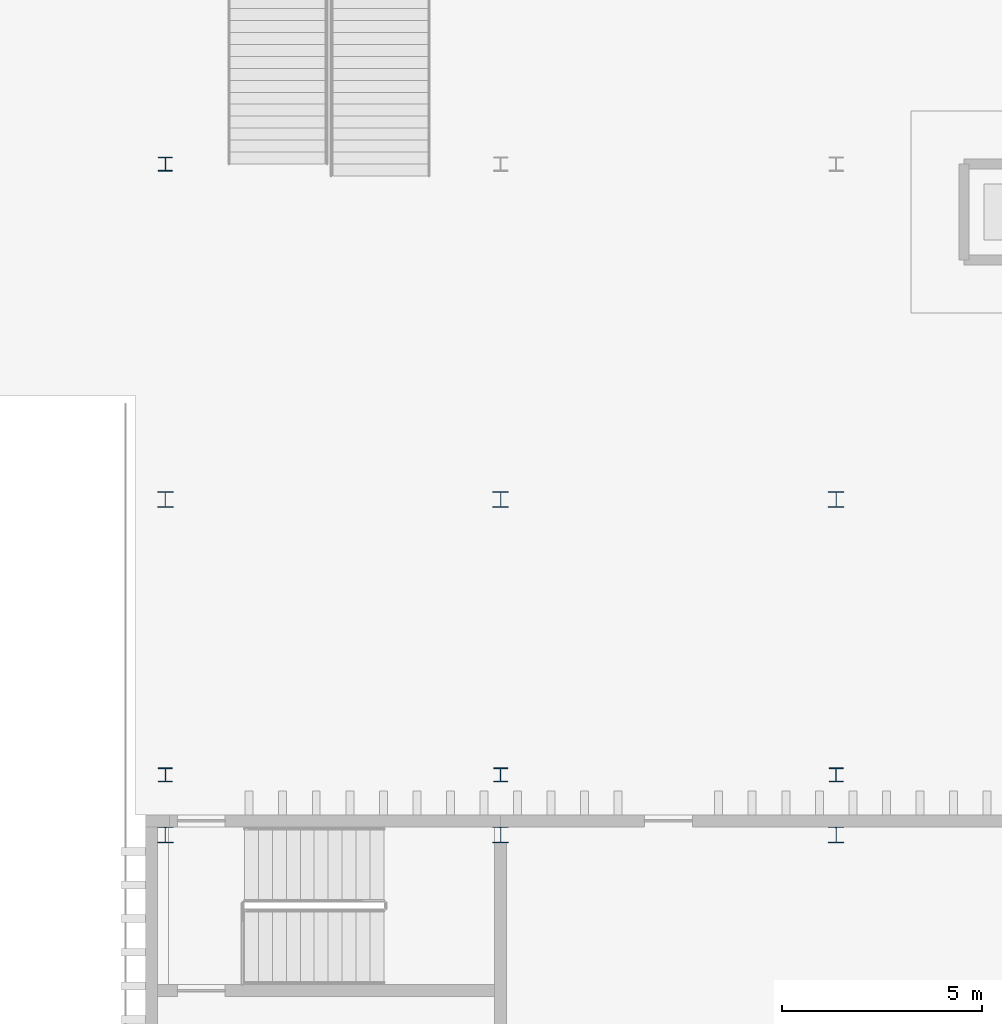
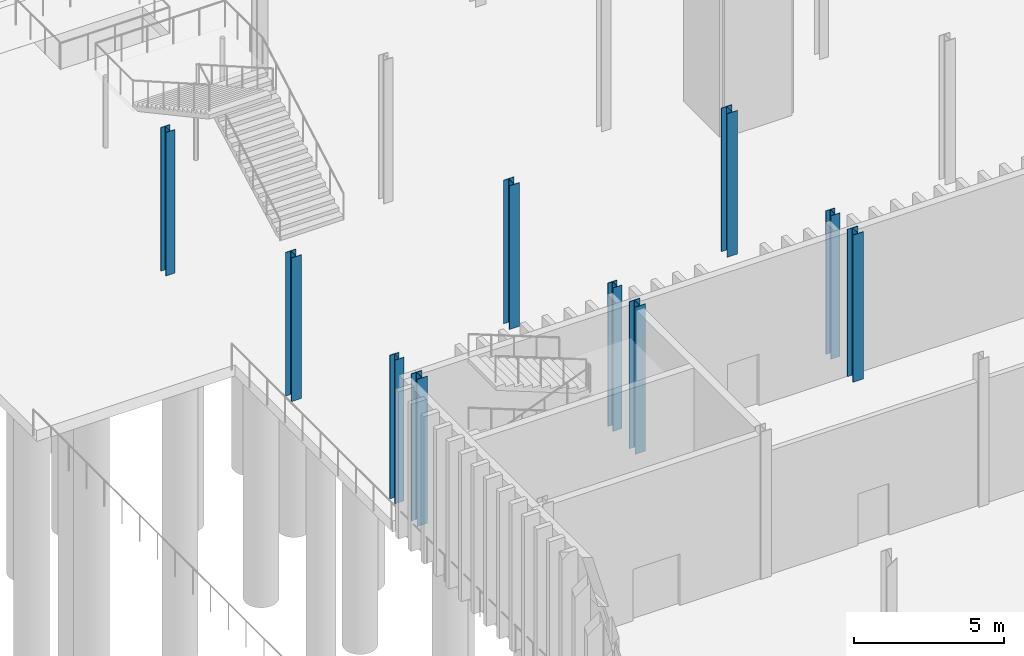
# One storey, part 12 of 108: 10 columns.
"""IFC4 building model written with IfcOpenShell, lengths in metres."""

from ifc_helpers import new_model, si_unit, direction, frame, origin, origin_2d, place, context, subcontext, project, spatial, i_section, extrude, material, material_profile, profile_set, type_object, element, save


model = new_model("IFC4")

# Units and contexts
model_context = context("Model", 3, precision=1e-05, world=origin(), true_north=direction((0.0, 1.0)))
body_context = subcontext(model_context, "Body", "Model", "MODEL_VIEW")
ifc_project = project(units=[si_unit("LENGTHUNIT", "METRE"), si_unit("AREAUNIT", "SQUARE_METRE"), si_unit("VOLUMEUNIT", "CUBIC_METRE"), si_unit("PLANEANGLEUNIT", "RADIAN"), si_unit("MASSUNIT", "GRAM", prefix="KILO")], contexts=[model_context])

# Site, building, storey
site_placement = place(None, origin())
site = spatial("IfcSite", under=ifc_project, at=site_placement, CompositionType="ELEMENT")
building_placement = place(site_placement, origin())
building = spatial("IfcBuilding", under=site, at=building_placement, Name="Cresset Court Congress Hotel", CompositionType="ELEMENT")
storey_placement = place(building_placement, origin())
storey = spatial("IfcBuildingStorey", under=building, at=storey_placement, Name="L00", CompositionType="ELEMENT", Elevation=0.0)

# Columns
ifc_material_1 = material(Name="Structural steel Q355B", Category="steel")
ifc_material_profile_1 = material_profile(ifc_material_1, i_section(OverallWidth=0.35009765625, OverallDepth=0.35009765625, WebThickness=0.011962890625, FlangeThickness=0.01904296875, FilletRadius=0.012939453125, at=origin_2d()), Name="HW350x350x12x19")
ifc_profile_set_1 = profile_set([ifc_material_profile_1], Name="Structural steel Q355B")
column_type_1 = type_object("IfcColumnType", Name="Steel column HW350x350x12x19", PredefinedType="COLUMN", material=ifc_profile_set_1)
for number, where, z_axis, x_axis, name in (
    (1, (8.39990234375, 26.699951171875, 0.0), (0.0, 0.0, 1.0), (1.0, 0.0, 0.0), "Deck column R101"),
    (2, (16.800048828125, 26.699951171875, 0.0), (0.0, 0.0, 1.0), (1.0, 0.0, 0.0), "Deck column R102"),
    (3, (25.199951171875, 26.699951171875, 0.0), (0.0, 0.0, 1.0), (1.0, 0.0, 0.0), "Deck column R103"),
    (4, (8.39990234375, 42.0, 0.0), (0.0, 0.0, 1.0), (1.0, 0.0, 0.0), "Deck column R301"),
):
    element("IfcColumn", number, at=place(storey_placement, frame(where, z_axis=z_axis, x_axis=x_axis)), inside=storey, type_object=column_type_1, Name=name, PredefinedType="COLUMN", context=body_context, shape_type="SweptSolid", body=[
        extrude(i_section(OverallWidth=0.35009765625, OverallDepth=0.35009765625, WebThickness=0.011962890625, FlangeThickness=0.01904296875, FilletRadius=0.012939453125, at=origin_2d()), origin(), (0.0, 0.0, 1.0), 5.85009765625),
    ])
ifc_material_2 = material(Name="Structural steel Q355B", Category="steel")
ifc_material_profile_2 = material_profile(ifc_material_2, i_section(OverallWidth=0.39990234375, OverallDepth=0.39990234375, WebThickness=0.012939453125, FlangeThickness=0.02099609375, FilletRadius=0.02197265625, at=origin_2d()), Name="HW400x400x13x21")
ifc_profile_set_2 = profile_set([ifc_material_profile_2], Name="Structural steel Q355B")
column_type_2 = type_object("IfcColumnType", Name="Steel column HW400x400x13x21", PredefinedType="COLUMN", material=ifc_profile_set_2)
for number, where, z_axis, x_axis, name in (
    (5, (8.39990234375, 33.60009765625, 0.0), (0.0, 0.0, 1.0), (1.0, 0.0, 0.0), "Deck column R201"),
    (6, (16.800048828125, 33.60009765625, 0.0), (0.0, 0.0, 1.0), (1.0, 0.0, 0.0), "Deck column R202"),
    (7, (25.199951171875, 33.60009765625, 0.0), (0.0, 0.0, 1.0), (1.0, 0.0, 0.0), "Deck column R203"),
):
    element("IfcColumn", number, at=place(storey_placement, frame(where, z_axis=z_axis, x_axis=x_axis)), inside=storey, type_object=column_type_2, Name=name, PredefinedType="COLUMN", context=body_context, shape_type="SweptSolid", body=[
        extrude(i_section(OverallWidth=0.39990234375, OverallDepth=0.39990234375, WebThickness=0.012939453125, FlangeThickness=0.02099609375, FilletRadius=0.02197265625, at=origin_2d()), origin(), (0.0, 0.0, 1.0), 5.85009765625),
    ])
for number, where, z_axis, x_axis, name in (
    (8, (8.39990234375, 25.199951171875, 0.0), (0.0, 0.0, 1.0), (1.0, 0.0, 0.0), "B.col.L00.02D"),
    (9, (16.800048828125, 25.199951171875, 0.0), (0.0, 0.0, 1.0), (1.0, 0.0, 0.0), "B.col.L00.03D"),
    (10, (25.199951171875, 25.199951171875, 0.0), (0.0, 0.0, 1.0), (1.0, 0.0, 0.0), "B.col.L00.04D"),
):
    element("IfcColumn", number, at=place(storey_placement, frame(where, z_axis=z_axis, x_axis=x_axis)), inside=storey, type_object=column_type_2, Name=name, PredefinedType="COLUMN", context=body_context, shape_type="SweptSolid", body=[
        extrude(i_section(OverallWidth=0.39990234375, OverallDepth=0.39990234375, WebThickness=0.012939453125, FlangeThickness=0.02099609375, FilletRadius=0.02197265625, at=origin_2d()), origin(), (0.0, 0.0, 1.0), 6.0),
    ])

save(model, "model.ifc")
